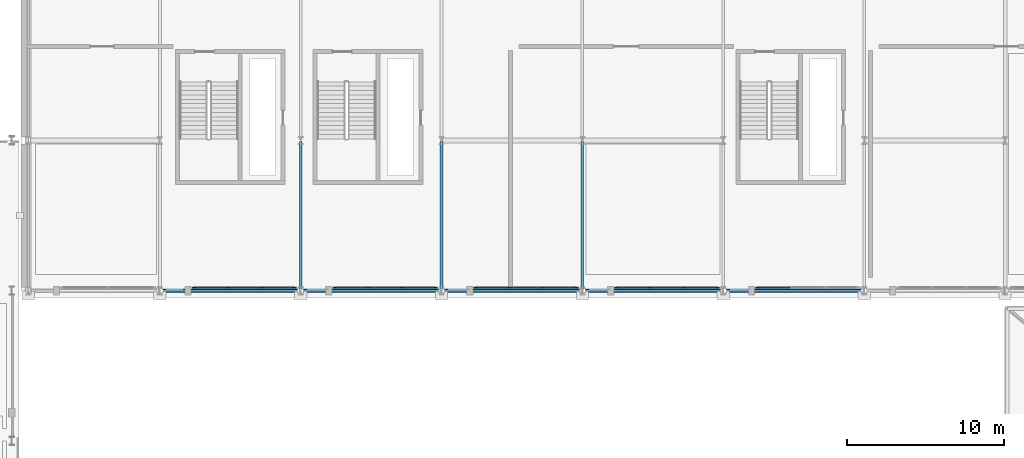
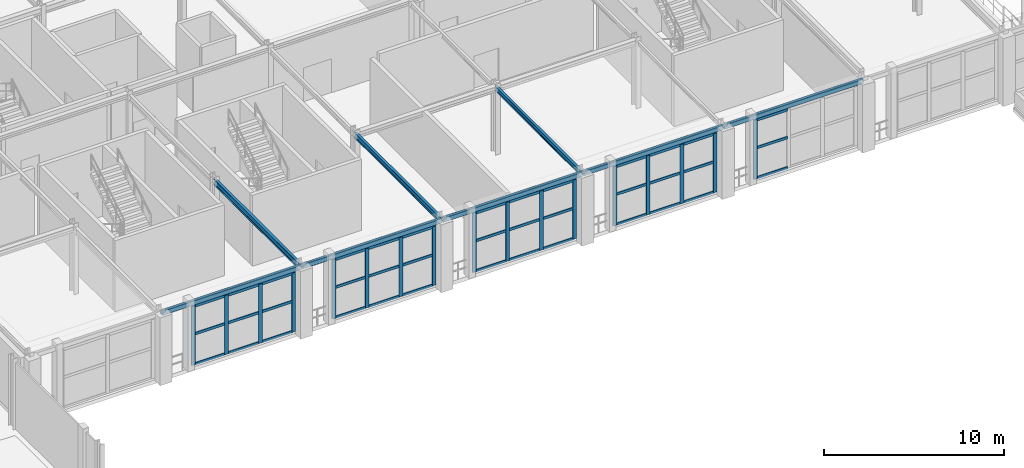
# One storey, part 56 of 125: 56 members, 8 beams, 5 elements without a shape of their own.
"""IFC4 building model written with IfcOpenShell, lengths in metres."""

from ifc_helpers import new_model, si_unit, direction, frame, origin, origin_2d, place, context, subcontext, project, spatial, rectangle, hollow_rectangle, i_section, extrude, material, layer, layer_set, material_profile, profile_set, type_object, element, aggregate, save


model = new_model("IFC4")

# Units and contexts
model_context = context("Model", 3, precision=1e-05, world=origin(), true_north=direction((0.0, 1.0)))
body_context = subcontext(model_context, "Body", "Model", "MODEL_VIEW")
ifc_project = project(units=[si_unit("LENGTHUNIT", "METRE"), si_unit("AREAUNIT", "SQUARE_METRE"), si_unit("VOLUMEUNIT", "CUBIC_METRE"), si_unit("PLANEANGLEUNIT", "RADIAN"), si_unit("MASSUNIT", "GRAM", prefix="KILO")], contexts=[model_context])

# Site, building, storey
site_placement = place(None, origin())
site = spatial("IfcSite", under=ifc_project, at=site_placement, CompositionType="ELEMENT")
building_placement = place(site_placement, origin())
building = spatial("IfcBuilding", under=site, at=building_placement, Name="Myrtia Square Station", CompositionType="ELEMENT")
storey_placement = place(building_placement, frame((0.0, 0.0, 6.0)))
storey = spatial("IfcBuildingStorey", under=building, at=storey_placement, Name="L01", CompositionType="ELEMENT", Elevation=6.0)

# Beams
ifc_material_1 = material(Name="Steel S355", Category="steel")
ifc_material_profile_1 = material_profile(ifc_material_1, i_section(OverallWidth=0.159912109375, OverallDepth=0.330078125, WebThickness=0.007568359375, FlangeThickness=0.011474609375, FilletRadius=0.01806640625, at=origin_2d()), Name="IPE 330")
ifc_profile_set_1 = profile_set([ifc_material_profile_1], Name="Steel S355")
beam_type_1 = type_object("IfcBeamType", Name="BM-IPE330", PredefinedType="BEAM", material=ifc_profile_set_1)
beam_1_placement = place(storey_placement, frame((153.0, 86.449951171875, 4.385009765625), z_axis=(0.0, 1.0, 0.0), x_axis=(-1.0, 0.0, 0.0)))
element("IfcBeam", 1, at=beam_1_placement, inside=storey, type_object=beam_type_1, Name="Structural girder BMY-L01-0675", PredefinedType="BEAM", context=body_context, shape_type="SweptSolid", body=[
    extrude(i_section(OverallWidth=0.159912109375, OverallDepth=0.330078125, WebThickness=0.007568359375, FlangeThickness=0.011474609375, FilletRadius=0.01806640625, at=origin_2d()), origin(), (0.0, 0.0, 1.0), 9.5),
])
ifc_material_profile_2 = material_profile(ifc_material_1, i_section(OverallWidth=0.169921875, OverallDepth=0.360107421875, WebThickness=0.008056640625, FlangeThickness=0.0126953125, FilletRadius=0.01806640625, at=origin_2d()), Name="IPE 360")
ifc_profile_set_2 = profile_set([ifc_material_profile_2], Name="Steel S355")
beam_type_2 = type_object("IfcBeamType", Name="BM-IPE360", PredefinedType="BEAM", material=ifc_profile_set_2)
beam_2_placement = place(storey_placement, frame((144.0, 86.449951171875, 4.3701171875), z_axis=(0.0, 1.0, 0.0), x_axis=(-1.0, 0.0, 0.0)))
element("IfcBeam", 2, at=beam_2_placement, inside=storey, type_object=beam_type_2, Name="Structural girder BMY-L01-0671", PredefinedType="BEAM", context=body_context, shape_type="SweptSolid", body=[
    extrude(i_section(OverallWidth=0.169921875, OverallDepth=0.360107421875, WebThickness=0.008056640625, FlangeThickness=0.0126953125, FilletRadius=0.01806640625, at=origin_2d()), origin(), (0.0, 0.0, 1.0), 9.5),
])
ifc_material_profile_3 = material_profile(ifc_material_1, i_section(OverallWidth=0.179931640625, OverallDepth=0.39990234375, WebThickness=0.008544921875, FlangeThickness=0.013427734375, FilletRadius=0.02099609375, at=origin_2d()), Name="IPE 400")
ifc_profile_set_3 = profile_set([ifc_material_profile_3], Name="Steel S355")
beam_type_3 = type_object("IfcBeamType", Name="BM-IPE400", PredefinedType="BEAM", material=ifc_profile_set_3)
beam_3_placement = place(storey_placement, frame((135.0, 86.449951171875, 4.35009765625), z_axis=(0.0, 1.0, 0.0), x_axis=(-1.0, 0.0, 0.0)))
element("IfcBeam", 3, at=beam_3_placement, inside=storey, type_object=beam_type_3, Name="Structural girder BMY-L01-0668", PredefinedType="BEAM", context=body_context, shape_type="SweptSolid", body=[
    extrude(i_section(OverallWidth=0.179931640625, OverallDepth=0.39990234375, WebThickness=0.008544921875, FlangeThickness=0.013427734375, FilletRadius=0.02099609375, at=origin_2d()), origin(), (0.0, 0.0, 1.0), 9.5),
])

# Curtain wall, members
ifc_material_2 = material(Name="Dark bronze anodised aluminium", Category="aluminium")
ifc_layer = layer(ifc_material_2, 0.159912109375, Name="Dark bronze anodised aluminium")
ifc_layer_set = layer_set([ifc_layer], Name="Dark bronze anodised aluminium")
curtain_wall_type = type_object("IfcCurtainWallType", Name="CW-TYPE-39-650x400", PredefinedType="USERDEFINED", material=ifc_layer_set)
curtain_wall_1_placement = place(storey_placement, origin())
curtain_wall_1 = element("IfcCurtainWall", 4, at=curtain_wall_1_placement, inside=storey, type_object=curtain_wall_type, Name="Concourse curtain wall CW-L01-118", ObjectType="CONCOURSE CURTAIN WALL", PredefinedType="USERDEFINED")
ifc_material_profile_4 = material_profile(ifc_material_2, rectangle(XDim=0.074951171875, YDim=0.239990234375, at=origin_2d()), Name="ALU-M 75x240")
ifc_profile_set_4 = profile_set([ifc_material_profile_4], Name="Dark bronze anodised aluminium")
member_type_1 = type_object("IfcMemberType", Name="CWM-75x240", PredefinedType="MULLION", material=ifc_profile_set_4)
member_1_placement = place(storey_placement, frame((128.1875, 86.60009765625, 0.0), z_axis=(0.0, 0.0, 1.0), x_axis=(0.0, 1.0, 0.0)))
member_1 = element("IfcMember", 5, at=member_1_placement, type_object=member_type_1, Name="CW-118 mullion 1", PredefinedType="MULLION", context=body_context, shape_type="SweptSolid", body=[
    extrude(rectangle(XDim=0.074951171875, YDim=0.239990234375, at=origin_2d()), origin(), (0.0, 0.0, 1.0), 4.0),
])
member_2_placement = place(storey_placement, frame((130.316650390625, 86.60009765625, 0.0), z_axis=(0.0, 0.0, 1.0), x_axis=(0.0, 1.0, 0.0)))
member_2 = element("IfcMember", 6, at=member_2_placement, type_object=member_type_1, Name="CW-118 mullion 2", PredefinedType="MULLION", context=body_context, shape_type="SweptSolid", body=[
    extrude(rectangle(XDim=0.074951171875, YDim=0.239990234375, at=origin_2d()), origin(), (0.0, 0.0, 1.0), 4.0),
])
member_3_placement = place(storey_placement, frame((132.4833984375, 86.60009765625, 0.0), z_axis=(0.0, 0.0, 1.0), x_axis=(0.0, 1.0, 0.0)))
member_3 = element("IfcMember", 7, at=member_3_placement, type_object=member_type_1, Name="CW-118 mullion 3", PredefinedType="MULLION", context=body_context, shape_type="SweptSolid", body=[
    extrude(rectangle(XDim=0.074951171875, YDim=0.239990234375, at=origin_2d()), origin(), (0.0, 0.0, 1.0), 4.0),
])
member_4_placement = place(storey_placement, frame((134.612548828125, 86.60009765625, 0.0), z_axis=(0.0, 0.0, 1.0), x_axis=(0.0, 1.0, 0.0)))
member_4 = element("IfcMember", 8, at=member_4_placement, type_object=member_type_1, Name="CW-118 mullion 4", PredefinedType="MULLION", context=body_context, shape_type="SweptSolid", body=[
    extrude(rectangle(XDim=0.074951171875, YDim=0.239990234375, at=origin_2d()), origin(), (0.0, 0.0, 1.0), 4.0),
])

curtain_wall_2_placement = place(storey_placement, origin())
curtain_wall_2 = element("IfcCurtainWall", 9, at=curtain_wall_2_placement, inside=storey, type_object=curtain_wall_type, Name="Concourse curtain wall CW-L01-123", ObjectType="CONCOURSE CURTAIN WALL", PredefinedType="USERDEFINED")
member_5_placement = place(storey_placement, frame((137.1875, 86.60009765625, 0.0), z_axis=(0.0, 0.0, 1.0), x_axis=(0.0, 1.0, 0.0)))
member_5 = element("IfcMember", 10, at=member_5_placement, type_object=member_type_1, Name="CW-123 mullion 1", PredefinedType="MULLION", context=body_context, shape_type="SweptSolid", body=[
    extrude(rectangle(XDim=0.074951171875, YDim=0.239990234375, at=origin_2d()), origin(), (0.0, 0.0, 1.0), 4.0),
])
member_6_placement = place(storey_placement, frame((139.316650390625, 86.60009765625, 0.0), z_axis=(0.0, 0.0, 1.0), x_axis=(0.0, 1.0, 0.0)))
member_6 = element("IfcMember", 11, at=member_6_placement, type_object=member_type_1, Name="CW-123 mullion 2", PredefinedType="MULLION", context=body_context, shape_type="SweptSolid", body=[
    extrude(rectangle(XDim=0.074951171875, YDim=0.239990234375, at=origin_2d()), origin(), (0.0, 0.0, 1.0), 4.0),
])
member_7_placement = place(storey_placement, frame((141.4833984375, 86.60009765625, 0.0), z_axis=(0.0, 0.0, 1.0), x_axis=(0.0, 1.0, 0.0)))
member_7 = element("IfcMember", 12, at=member_7_placement, type_object=member_type_1, Name="CW-123 mullion 3", PredefinedType="MULLION", context=body_context, shape_type="SweptSolid", body=[
    extrude(rectangle(XDim=0.074951171875, YDim=0.239990234375, at=origin_2d()), origin(), (0.0, 0.0, 1.0), 4.0),
])
member_8_placement = place(storey_placement, frame((143.612548828125, 86.60009765625, 0.0), z_axis=(0.0, 0.0, 1.0), x_axis=(0.0, 1.0, 0.0)))
member_8 = element("IfcMember", 13, at=member_8_placement, type_object=member_type_1, Name="CW-123 mullion 4", PredefinedType="MULLION", context=body_context, shape_type="SweptSolid", body=[
    extrude(rectangle(XDim=0.074951171875, YDim=0.239990234375, at=origin_2d()), origin(), (0.0, 0.0, 1.0), 4.0),
])

curtain_wall_3_placement = place(storey_placement, origin())
curtain_wall_3 = element("IfcCurtainWall", 14, at=curtain_wall_3_placement, inside=storey, type_object=curtain_wall_type, Name="Concourse curtain wall CW-L01-127", ObjectType="CONCOURSE CURTAIN WALL", PredefinedType="USERDEFINED")
member_9_placement = place(storey_placement, frame((146.1875, 86.60009765625, 0.0), z_axis=(0.0, 0.0, 1.0), x_axis=(0.0, 1.0, 0.0)))
member_9 = element("IfcMember", 15, at=member_9_placement, type_object=member_type_1, Name="CW-127 mullion 1", PredefinedType="MULLION", context=body_context, shape_type="SweptSolid", body=[
    extrude(rectangle(XDim=0.074951171875, YDim=0.239990234375, at=origin_2d()), origin(), (0.0, 0.0, 1.0), 4.0),
])
member_10_placement = place(storey_placement, frame((148.316650390625, 86.60009765625, 0.0), z_axis=(0.0, 0.0, 1.0), x_axis=(0.0, 1.0, 0.0)))
member_10 = element("IfcMember", 16, at=member_10_placement, type_object=member_type_1, Name="CW-127 mullion 2", PredefinedType="MULLION", context=body_context, shape_type="SweptSolid", body=[
    extrude(rectangle(XDim=0.074951171875, YDim=0.239990234375, at=origin_2d()), origin(), (0.0, 0.0, 1.0), 4.0),
])
member_11_placement = place(storey_placement, frame((150.4833984375, 86.60009765625, 0.0), z_axis=(0.0, 0.0, 1.0), x_axis=(0.0, 1.0, 0.0)))
member_11 = element("IfcMember", 17, at=member_11_placement, type_object=member_type_1, Name="CW-127 mullion 3", PredefinedType="MULLION", context=body_context, shape_type="SweptSolid", body=[
    extrude(rectangle(XDim=0.074951171875, YDim=0.239990234375, at=origin_2d()), origin(), (0.0, 0.0, 1.0), 4.0),
])
member_12_placement = place(storey_placement, frame((152.612548828125, 86.60009765625, 0.0), z_axis=(0.0, 0.0, 1.0), x_axis=(0.0, 1.0, 0.0)))
member_12 = element("IfcMember", 18, at=member_12_placement, type_object=member_type_1, Name="CW-127 mullion 4", PredefinedType="MULLION", context=body_context, shape_type="SweptSolid", body=[
    extrude(rectangle(XDim=0.074951171875, YDim=0.239990234375, at=origin_2d()), origin(), (0.0, 0.0, 1.0), 4.0),
])

curtain_wall_4_placement = place(storey_placement, origin())
curtain_wall_4 = element("IfcCurtainWall", 19, at=curtain_wall_4_placement, inside=storey, type_object=curtain_wall_type, Name="Concourse curtain wall CW-L01-131", ObjectType="CONCOURSE CURTAIN WALL", PredefinedType="USERDEFINED")
member_13_placement = place(storey_placement, frame((155.1875, 86.60009765625, 0.0), z_axis=(0.0, 0.0, 1.0), x_axis=(0.0, 1.0, 0.0)))
member_13 = element("IfcMember", 20, at=member_13_placement, type_object=member_type_1, Name="CW-131 mullion 1", PredefinedType="MULLION", context=body_context, shape_type="SweptSolid", body=[
    extrude(rectangle(XDim=0.074951171875, YDim=0.239990234375, at=origin_2d()), origin(), (0.0, 0.0, 1.0), 4.0),
])
member_14_placement = place(storey_placement, frame((157.316650390625, 86.60009765625, 0.0), z_axis=(0.0, 0.0, 1.0), x_axis=(0.0, 1.0, 0.0)))
member_14 = element("IfcMember", 21, at=member_14_placement, type_object=member_type_1, Name="CW-131 mullion 2", PredefinedType="MULLION", context=body_context, shape_type="SweptSolid", body=[
    extrude(rectangle(XDim=0.074951171875, YDim=0.239990234375, at=origin_2d()), origin(), (0.0, 0.0, 1.0), 4.0),
])
member_15_placement = place(storey_placement, frame((159.4833984375, 86.60009765625, 0.0), z_axis=(0.0, 0.0, 1.0), x_axis=(0.0, 1.0, 0.0)))
member_15 = element("IfcMember", 22, at=member_15_placement, type_object=member_type_1, Name="CW-131 mullion 3", PredefinedType="MULLION", context=body_context, shape_type="SweptSolid", body=[
    extrude(rectangle(XDim=0.074951171875, YDim=0.239990234375, at=origin_2d()), origin(), (0.0, 0.0, 1.0), 4.0),
])
member_16_placement = place(storey_placement, frame((161.612548828125, 86.60009765625, 0.0), z_axis=(0.0, 0.0, 1.0), x_axis=(0.0, 1.0, 0.0)))
member_16 = element("IfcMember", 23, at=member_16_placement, type_object=member_type_1, Name="CW-131 mullion 4", PredefinedType="MULLION", context=body_context, shape_type="SweptSolid", body=[
    extrude(rectangle(XDim=0.074951171875, YDim=0.239990234375, at=origin_2d()), origin(), (0.0, 0.0, 1.0), 4.0),
])

# Curtain wall, member
curtain_wall_5_placement = place(storey_placement, origin())
curtain_wall_5 = element("IfcCurtainWall", 24, at=curtain_wall_5_placement, inside=storey, type_object=curtain_wall_type, Name="Concourse curtain wall CW-L01-136", ObjectType="CONCOURSE CURTAIN WALL", PredefinedType="USERDEFINED")
member_17_placement = place(storey_placement, frame((164.1875, 86.60009765625, 0.0), z_axis=(0.0, 0.0, 1.0), x_axis=(0.0, 1.0, 0.0)))
member_17 = element("IfcMember", 25, at=member_17_placement, type_object=member_type_1, Name="CW-136 mullion 1", PredefinedType="MULLION", context=body_context, shape_type="SweptSolid", body=[
    extrude(rectangle(XDim=0.074951171875, YDim=0.239990234375, at=origin_2d()), origin(), (0.0, 0.0, 1.0), 4.0),
])

# Member
ifc_material_profile_5 = material_profile(ifc_material_2, rectangle(XDim=0.074951171875, YDim=0.179931640625, at=origin_2d()), Name="ALU-T 75x180")
ifc_profile_set_5 = profile_set([ifc_material_profile_5], Name="Dark bronze anodised aluminium")
member_type_2 = type_object("IfcMemberType", Name="CWT-75x180", PredefinedType="USERDEFINED", material=ifc_profile_set_5)
member_18_placement = place(storey_placement, frame((128.22509765625, 86.60009765625, 0.03759765625), z_axis=(1.0, 0.0, 0.0), x_axis=(0.0, 1.0, 0.0)))
member_18 = element("IfcMember", 26, at=member_18_placement, type_object=member_type_2, Name="CW-118 transom 1.1", ObjectType="TRANSOM", PredefinedType="USERDEFINED", context=body_context, shape_type="SweptSolid", body=[
    extrude(rectangle(XDim=0.074951171875, YDim=0.179931640625, at=origin_2d()), origin(), (0.0, 0.0, 1.0), 2.053955078125),
])

member_19_placement = place(storey_placement, frame((128.22509765625, 86.60009765625, 2.080078125), z_axis=(1.0, 0.0, 0.0), x_axis=(0.0, 1.0, 0.0)))
member_19 = element("IfcMember", 27, at=member_19_placement, type_object=member_type_2, Name="CW-118 transom 1.2", ObjectType="TRANSOM", PredefinedType="USERDEFINED", context=body_context, shape_type="SweptSolid", body=[
    extrude(rectangle(XDim=0.074951171875, YDim=0.179931640625, at=origin_2d()), origin(), (0.0, 0.0, 1.0), 2.053955078125),
])

member_20_placement = place(storey_placement, frame((128.22509765625, 86.60009765625, 3.96240234375), z_axis=(1.0, 0.0, 0.0), x_axis=(0.0, 1.0, 0.0)))
member_20 = element("IfcMember", 28, at=member_20_placement, type_object=member_type_2, Name="CW-118 transom 1.3", ObjectType="TRANSOM", PredefinedType="USERDEFINED", context=body_context, shape_type="SweptSolid", body=[
    extrude(rectangle(XDim=0.074951171875, YDim=0.179931640625, at=origin_2d()), origin(), (0.0, 0.0, 1.0), 2.053955078125),
])

member_21_placement = place(storey_placement, frame((130.354248046875, 86.60009765625, 0.03759765625), z_axis=(1.0, 0.0, 0.0), x_axis=(0.0, 1.0, 0.0)))
member_21 = element("IfcMember", 29, at=member_21_placement, type_object=member_type_2, Name="CW-118 transom 2.1", ObjectType="TRANSOM", PredefinedType="USERDEFINED", context=body_context, shape_type="SweptSolid", body=[
    extrude(rectangle(XDim=0.074951171875, YDim=0.179931640625, at=origin_2d()), origin(), (0.0, 0.0, 1.0), 2.091552734375),
])

member_22_placement = place(storey_placement, frame((130.354248046875, 86.60009765625, 2.080078125), z_axis=(1.0, 0.0, 0.0), x_axis=(0.0, 1.0, 0.0)))
member_22 = element("IfcMember", 30, at=member_22_placement, type_object=member_type_2, Name="CW-118 transom 2.2", ObjectType="TRANSOM", PredefinedType="USERDEFINED", context=body_context, shape_type="SweptSolid", body=[
    extrude(rectangle(XDim=0.074951171875, YDim=0.179931640625, at=origin_2d()), origin(), (0.0, 0.0, 1.0), 2.091552734375),
])

member_23_placement = place(storey_placement, frame((130.354248046875, 86.60009765625, 3.96240234375), z_axis=(1.0, 0.0, 0.0), x_axis=(0.0, 1.0, 0.0)))
member_23 = element("IfcMember", 31, at=member_23_placement, type_object=member_type_2, Name="CW-118 transom 2.3", ObjectType="TRANSOM", PredefinedType="USERDEFINED", context=body_context, shape_type="SweptSolid", body=[
    extrude(rectangle(XDim=0.074951171875, YDim=0.179931640625, at=origin_2d()), origin(), (0.0, 0.0, 1.0), 2.091552734375),
])

member_24_placement = place(storey_placement, frame((132.520751953125, 86.60009765625, 0.03759765625), z_axis=(1.0, 0.0, 0.0), x_axis=(0.0, 1.0, 0.0)))
member_24 = element("IfcMember", 32, at=member_24_placement, type_object=member_type_2, Name="CW-118 transom 3.1", ObjectType="TRANSOM", PredefinedType="USERDEFINED", context=body_context, shape_type="SweptSolid", body=[
    extrude(rectangle(XDim=0.074951171875, YDim=0.179931640625, at=origin_2d()), origin(), (0.0, 0.0, 1.0), 2.05419921875),
])

member_25_placement = place(storey_placement, frame((132.520751953125, 86.60009765625, 2.080078125), z_axis=(1.0, 0.0, 0.0), x_axis=(0.0, 1.0, 0.0)))
member_25 = element("IfcMember", 33, at=member_25_placement, type_object=member_type_2, Name="CW-118 transom 3.2", ObjectType="TRANSOM", PredefinedType="USERDEFINED", context=body_context, shape_type="SweptSolid", body=[
    extrude(rectangle(XDim=0.074951171875, YDim=0.179931640625, at=origin_2d()), origin(), (0.0, 0.0, 1.0), 2.05419921875),
])

member_26_placement = place(storey_placement, frame((132.520751953125, 86.60009765625, 3.96240234375), z_axis=(1.0, 0.0, 0.0), x_axis=(0.0, 1.0, 0.0)))
member_26 = element("IfcMember", 34, at=member_26_placement, type_object=member_type_2, Name="CW-118 transom 3.3", ObjectType="TRANSOM", PredefinedType="USERDEFINED", context=body_context, shape_type="SweptSolid", body=[
    extrude(rectangle(XDim=0.074951171875, YDim=0.179931640625, at=origin_2d()), origin(), (0.0, 0.0, 1.0), 2.05419921875),
])

aggregate(curtain_wall_1, [member_1, member_2, member_3, member_4, member_18, member_19, member_20, member_21, member_22, member_23, member_24, member_25, member_26])

member_27_placement = place(storey_placement, frame((137.22509765625, 86.60009765625, 0.03759765625), z_axis=(1.0, 0.0, 0.0), x_axis=(0.0, 1.0, 0.0)))
member_27 = element("IfcMember", 35, at=member_27_placement, type_object=member_type_2, Name="CW-123 transom 1.1", ObjectType="TRANSOM", PredefinedType="USERDEFINED", context=body_context, shape_type="SweptSolid", body=[
    extrude(rectangle(XDim=0.074951171875, YDim=0.179931640625, at=origin_2d()), origin(), (0.0, 0.0, 1.0), 2.053955078125),
])

member_28_placement = place(storey_placement, frame((137.22509765625, 86.60009765625, 2.080078125), z_axis=(1.0, 0.0, 0.0), x_axis=(0.0, 1.0, 0.0)))
member_28 = element("IfcMember", 36, at=member_28_placement, type_object=member_type_2, Name="CW-123 transom 1.2", ObjectType="TRANSOM", PredefinedType="USERDEFINED", context=body_context, shape_type="SweptSolid", body=[
    extrude(rectangle(XDim=0.074951171875, YDim=0.179931640625, at=origin_2d()), origin(), (0.0, 0.0, 1.0), 2.053955078125),
])

member_29_placement = place(storey_placement, frame((137.22509765625, 86.60009765625, 3.96240234375), z_axis=(1.0, 0.0, 0.0), x_axis=(0.0, 1.0, 0.0)))
member_29 = element("IfcMember", 37, at=member_29_placement, type_object=member_type_2, Name="CW-123 transom 1.3", ObjectType="TRANSOM", PredefinedType="USERDEFINED", context=body_context, shape_type="SweptSolid", body=[
    extrude(rectangle(XDim=0.074951171875, YDim=0.179931640625, at=origin_2d()), origin(), (0.0, 0.0, 1.0), 2.053955078125),
])

member_30_placement = place(storey_placement, frame((139.354248046875, 86.60009765625, 0.03759765625), z_axis=(1.0, 0.0, 0.0), x_axis=(0.0, 1.0, 0.0)))
member_30 = element("IfcMember", 38, at=member_30_placement, type_object=member_type_2, Name="CW-123 transom 2.1", ObjectType="TRANSOM", PredefinedType="USERDEFINED", context=body_context, shape_type="SweptSolid", body=[
    extrude(rectangle(XDim=0.074951171875, YDim=0.179931640625, at=origin_2d()), origin(), (0.0, 0.0, 1.0), 2.091552734375),
])

member_31_placement = place(storey_placement, frame((139.354248046875, 86.60009765625, 2.080078125), z_axis=(1.0, 0.0, 0.0), x_axis=(0.0, 1.0, 0.0)))
member_31 = element("IfcMember", 39, at=member_31_placement, type_object=member_type_2, Name="CW-123 transom 2.2", ObjectType="TRANSOM", PredefinedType="USERDEFINED", context=body_context, shape_type="SweptSolid", body=[
    extrude(rectangle(XDim=0.074951171875, YDim=0.179931640625, at=origin_2d()), origin(), (0.0, 0.0, 1.0), 2.091552734375),
])

member_32_placement = place(storey_placement, frame((139.354248046875, 86.60009765625, 3.96240234375), z_axis=(1.0, 0.0, 0.0), x_axis=(0.0, 1.0, 0.0)))
member_32 = element("IfcMember", 40, at=member_32_placement, type_object=member_type_2, Name="CW-123 transom 2.3", ObjectType="TRANSOM", PredefinedType="USERDEFINED", context=body_context, shape_type="SweptSolid", body=[
    extrude(rectangle(XDim=0.074951171875, YDim=0.179931640625, at=origin_2d()), origin(), (0.0, 0.0, 1.0), 2.091552734375),
])

member_33_placement = place(storey_placement, frame((141.520751953125, 86.60009765625, 0.03759765625), z_axis=(1.0, 0.0, 0.0), x_axis=(0.0, 1.0, 0.0)))
member_33 = element("IfcMember", 41, at=member_33_placement, type_object=member_type_2, Name="CW-123 transom 3.1", ObjectType="TRANSOM", PredefinedType="USERDEFINED", context=body_context, shape_type="SweptSolid", body=[
    extrude(rectangle(XDim=0.074951171875, YDim=0.179931640625, at=origin_2d()), origin(), (0.0, 0.0, 1.0), 2.05419921875),
])

member_34_placement = place(storey_placement, frame((141.520751953125, 86.60009765625, 2.080078125), z_axis=(1.0, 0.0, 0.0), x_axis=(0.0, 1.0, 0.0)))
member_34 = element("IfcMember", 42, at=member_34_placement, type_object=member_type_2, Name="CW-123 transom 3.2", ObjectType="TRANSOM", PredefinedType="USERDEFINED", context=body_context, shape_type="SweptSolid", body=[
    extrude(rectangle(XDim=0.074951171875, YDim=0.179931640625, at=origin_2d()), origin(), (0.0, 0.0, 1.0), 2.05419921875),
])

member_35_placement = place(storey_placement, frame((141.520751953125, 86.60009765625, 3.96240234375), z_axis=(1.0, 0.0, 0.0), x_axis=(0.0, 1.0, 0.0)))
member_35 = element("IfcMember", 43, at=member_35_placement, type_object=member_type_2, Name="CW-123 transom 3.3", ObjectType="TRANSOM", PredefinedType="USERDEFINED", context=body_context, shape_type="SweptSolid", body=[
    extrude(rectangle(XDim=0.074951171875, YDim=0.179931640625, at=origin_2d()), origin(), (0.0, 0.0, 1.0), 2.05419921875),
])

aggregate(curtain_wall_2, [member_5, member_6, member_7, member_8, member_27, member_28, member_29, member_30, member_31, member_32, member_33, member_34, member_35])

member_36_placement = place(storey_placement, frame((146.22509765625, 86.60009765625, 0.03759765625), z_axis=(1.0, 0.0, 0.0), x_axis=(0.0, 1.0, 0.0)))
member_36 = element("IfcMember", 44, at=member_36_placement, type_object=member_type_2, Name="CW-127 transom 1.1", ObjectType="TRANSOM", PredefinedType="USERDEFINED", context=body_context, shape_type="SweptSolid", body=[
    extrude(rectangle(XDim=0.074951171875, YDim=0.179931640625, at=origin_2d()), origin(), (0.0, 0.0, 1.0), 2.053955078125),
])

member_37_placement = place(storey_placement, frame((146.22509765625, 86.60009765625, 2.080078125), z_axis=(1.0, 0.0, 0.0), x_axis=(0.0, 1.0, 0.0)))
member_37 = element("IfcMember", 45, at=member_37_placement, type_object=member_type_2, Name="CW-127 transom 1.2", ObjectType="TRANSOM", PredefinedType="USERDEFINED", context=body_context, shape_type="SweptSolid", body=[
    extrude(rectangle(XDim=0.074951171875, YDim=0.179931640625, at=origin_2d()), origin(), (0.0, 0.0, 1.0), 2.053955078125),
])

member_38_placement = place(storey_placement, frame((146.22509765625, 86.60009765625, 3.96240234375), z_axis=(1.0, 0.0, 0.0), x_axis=(0.0, 1.0, 0.0)))
member_38 = element("IfcMember", 46, at=member_38_placement, type_object=member_type_2, Name="CW-127 transom 1.3", ObjectType="TRANSOM", PredefinedType="USERDEFINED", context=body_context, shape_type="SweptSolid", body=[
    extrude(rectangle(XDim=0.074951171875, YDim=0.179931640625, at=origin_2d()), origin(), (0.0, 0.0, 1.0), 2.053955078125),
])

member_39_placement = place(storey_placement, frame((148.354248046875, 86.60009765625, 0.03759765625), z_axis=(1.0, 0.0, 0.0), x_axis=(0.0, 1.0, 0.0)))
member_39 = element("IfcMember", 47, at=member_39_placement, type_object=member_type_2, Name="CW-127 transom 2.1", ObjectType="TRANSOM", PredefinedType="USERDEFINED", context=body_context, shape_type="SweptSolid", body=[
    extrude(rectangle(XDim=0.074951171875, YDim=0.179931640625, at=origin_2d()), origin(), (0.0, 0.0, 1.0), 2.091552734375),
])

member_40_placement = place(storey_placement, frame((148.354248046875, 86.60009765625, 2.080078125), z_axis=(1.0, 0.0, 0.0), x_axis=(0.0, 1.0, 0.0)))
member_40 = element("IfcMember", 48, at=member_40_placement, type_object=member_type_2, Name="CW-127 transom 2.2", ObjectType="TRANSOM", PredefinedType="USERDEFINED", context=body_context, shape_type="SweptSolid", body=[
    extrude(rectangle(XDim=0.074951171875, YDim=0.179931640625, at=origin_2d()), origin(), (0.0, 0.0, 1.0), 2.091552734375),
])

member_41_placement = place(storey_placement, frame((148.354248046875, 86.60009765625, 3.96240234375), z_axis=(1.0, 0.0, 0.0), x_axis=(0.0, 1.0, 0.0)))
member_41 = element("IfcMember", 49, at=member_41_placement, type_object=member_type_2, Name="CW-127 transom 2.3", ObjectType="TRANSOM", PredefinedType="USERDEFINED", context=body_context, shape_type="SweptSolid", body=[
    extrude(rectangle(XDim=0.074951171875, YDim=0.179931640625, at=origin_2d()), origin(), (0.0, 0.0, 1.0), 2.091552734375),
])

member_42_placement = place(storey_placement, frame((150.520751953125, 86.60009765625, 0.03759765625), z_axis=(1.0, 0.0, 0.0), x_axis=(0.0, 1.0, 0.0)))
member_42 = element("IfcMember", 50, at=member_42_placement, type_object=member_type_2, Name="CW-127 transom 3.1", ObjectType="TRANSOM", PredefinedType="USERDEFINED", context=body_context, shape_type="SweptSolid", body=[
    extrude(rectangle(XDim=0.074951171875, YDim=0.179931640625, at=origin_2d()), origin(), (0.0, 0.0, 1.0), 2.05419921875),
])

member_43_placement = place(storey_placement, frame((150.520751953125, 86.60009765625, 2.080078125), z_axis=(1.0, 0.0, 0.0), x_axis=(0.0, 1.0, 0.0)))
member_43 = element("IfcMember", 51, at=member_43_placement, type_object=member_type_2, Name="CW-127 transom 3.2", ObjectType="TRANSOM", PredefinedType="USERDEFINED", context=body_context, shape_type="SweptSolid", body=[
    extrude(rectangle(XDim=0.074951171875, YDim=0.179931640625, at=origin_2d()), origin(), (0.0, 0.0, 1.0), 2.05419921875),
])

member_44_placement = place(storey_placement, frame((150.520751953125, 86.60009765625, 3.96240234375), z_axis=(1.0, 0.0, 0.0), x_axis=(0.0, 1.0, 0.0)))
member_44 = element("IfcMember", 52, at=member_44_placement, type_object=member_type_2, Name="CW-127 transom 3.3", ObjectType="TRANSOM", PredefinedType="USERDEFINED", context=body_context, shape_type="SweptSolid", body=[
    extrude(rectangle(XDim=0.074951171875, YDim=0.179931640625, at=origin_2d()), origin(), (0.0, 0.0, 1.0), 2.05419921875),
])

aggregate(curtain_wall_3, [member_9, member_10, member_11, member_12, member_36, member_37, member_38, member_39, member_40, member_41, member_42, member_43, member_44])

member_45_placement = place(storey_placement, frame((155.22509765625, 86.60009765625, 0.03759765625), z_axis=(1.0, 0.0, 0.0), x_axis=(0.0, 1.0, 0.0)))
member_45 = element("IfcMember", 53, at=member_45_placement, type_object=member_type_2, Name="CW-131 transom 1.1", ObjectType="TRANSOM", PredefinedType="USERDEFINED", context=body_context, shape_type="SweptSolid", body=[
    extrude(rectangle(XDim=0.074951171875, YDim=0.179931640625, at=origin_2d()), origin(), (0.0, 0.0, 1.0), 2.053955078125),
])

member_46_placement = place(storey_placement, frame((155.22509765625, 86.60009765625, 2.080078125), z_axis=(1.0, 0.0, 0.0), x_axis=(0.0, 1.0, 0.0)))
member_46 = element("IfcMember", 54, at=member_46_placement, type_object=member_type_2, Name="CW-131 transom 1.2", ObjectType="TRANSOM", PredefinedType="USERDEFINED", context=body_context, shape_type="SweptSolid", body=[
    extrude(rectangle(XDim=0.074951171875, YDim=0.179931640625, at=origin_2d()), origin(), (0.0, 0.0, 1.0), 2.053955078125),
])

member_47_placement = place(storey_placement, frame((155.22509765625, 86.60009765625, 3.96240234375), z_axis=(1.0, 0.0, 0.0), x_axis=(0.0, 1.0, 0.0)))
member_47 = element("IfcMember", 55, at=member_47_placement, type_object=member_type_2, Name="CW-131 transom 1.3", ObjectType="TRANSOM", PredefinedType="USERDEFINED", context=body_context, shape_type="SweptSolid", body=[
    extrude(rectangle(XDim=0.074951171875, YDim=0.179931640625, at=origin_2d()), origin(), (0.0, 0.0, 1.0), 2.053955078125),
])

member_48_placement = place(storey_placement, frame((157.354248046875, 86.60009765625, 0.03759765625), z_axis=(1.0, 0.0, 0.0), x_axis=(0.0, 1.0, 0.0)))
member_48 = element("IfcMember", 56, at=member_48_placement, type_object=member_type_2, Name="CW-131 transom 2.1", ObjectType="TRANSOM", PredefinedType="USERDEFINED", context=body_context, shape_type="SweptSolid", body=[
    extrude(rectangle(XDim=0.074951171875, YDim=0.179931640625, at=origin_2d()), origin(), (0.0, 0.0, 1.0), 2.091552734375),
])

member_49_placement = place(storey_placement, frame((157.354248046875, 86.60009765625, 2.080078125), z_axis=(1.0, 0.0, 0.0), x_axis=(0.0, 1.0, 0.0)))
member_49 = element("IfcMember", 57, at=member_49_placement, type_object=member_type_2, Name="CW-131 transom 2.2", ObjectType="TRANSOM", PredefinedType="USERDEFINED", context=body_context, shape_type="SweptSolid", body=[
    extrude(rectangle(XDim=0.074951171875, YDim=0.179931640625, at=origin_2d()), origin(), (0.0, 0.0, 1.0), 2.091552734375),
])

member_50_placement = place(storey_placement, frame((157.354248046875, 86.60009765625, 3.96240234375), z_axis=(1.0, 0.0, 0.0), x_axis=(0.0, 1.0, 0.0)))
member_50 = element("IfcMember", 58, at=member_50_placement, type_object=member_type_2, Name="CW-131 transom 2.3", ObjectType="TRANSOM", PredefinedType="USERDEFINED", context=body_context, shape_type="SweptSolid", body=[
    extrude(rectangle(XDim=0.074951171875, YDim=0.179931640625, at=origin_2d()), origin(), (0.0, 0.0, 1.0), 2.091552734375),
])

member_51_placement = place(storey_placement, frame((159.520751953125, 86.60009765625, 0.03759765625), z_axis=(1.0, 0.0, 0.0), x_axis=(0.0, 1.0, 0.0)))
member_51 = element("IfcMember", 59, at=member_51_placement, type_object=member_type_2, Name="CW-131 transom 3.1", ObjectType="TRANSOM", PredefinedType="USERDEFINED", context=body_context, shape_type="SweptSolid", body=[
    extrude(rectangle(XDim=0.074951171875, YDim=0.179931640625, at=origin_2d()), origin(), (0.0, 0.0, 1.0), 2.05419921875),
])

member_52_placement = place(storey_placement, frame((159.520751953125, 86.60009765625, 2.080078125), z_axis=(1.0, 0.0, 0.0), x_axis=(0.0, 1.0, 0.0)))
member_52 = element("IfcMember", 60, at=member_52_placement, type_object=member_type_2, Name="CW-131 transom 3.2", ObjectType="TRANSOM", PredefinedType="USERDEFINED", context=body_context, shape_type="SweptSolid", body=[
    extrude(rectangle(XDim=0.074951171875, YDim=0.179931640625, at=origin_2d()), origin(), (0.0, 0.0, 1.0), 2.05419921875),
])

member_53_placement = place(storey_placement, frame((159.520751953125, 86.60009765625, 3.96240234375), z_axis=(1.0, 0.0, 0.0), x_axis=(0.0, 1.0, 0.0)))
member_53 = element("IfcMember", 61, at=member_53_placement, type_object=member_type_2, Name="CW-131 transom 3.3", ObjectType="TRANSOM", PredefinedType="USERDEFINED", context=body_context, shape_type="SweptSolid", body=[
    extrude(rectangle(XDim=0.074951171875, YDim=0.179931640625, at=origin_2d()), origin(), (0.0, 0.0, 1.0), 2.05419921875),
])

aggregate(curtain_wall_4, [member_13, member_14, member_15, member_16, member_45, member_46, member_47, member_48, member_49, member_50, member_51, member_52, member_53])

member_54_placement = place(storey_placement, frame((164.22509765625, 86.60009765625, 0.03759765625), z_axis=(1.0, 0.0, 0.0), x_axis=(0.0, 1.0, 0.0)))
member_54 = element("IfcMember", 62, at=member_54_placement, type_object=member_type_2, Name="CW-136 transom 1.1", ObjectType="TRANSOM", PredefinedType="USERDEFINED", context=body_context, shape_type="SweptSolid", body=[
    extrude(rectangle(XDim=0.074951171875, YDim=0.179931640625, at=origin_2d()), origin(), (0.0, 0.0, 1.0), 2.053955078125),
])

member_55_placement = place(storey_placement, frame((164.22509765625, 86.60009765625, 2.080078125), z_axis=(1.0, 0.0, 0.0), x_axis=(0.0, 1.0, 0.0)))
member_55 = element("IfcMember", 63, at=member_55_placement, type_object=member_type_2, Name="CW-136 transom 1.2", ObjectType="TRANSOM", PredefinedType="USERDEFINED", context=body_context, shape_type="SweptSolid", body=[
    extrude(rectangle(XDim=0.074951171875, YDim=0.179931640625, at=origin_2d()), origin(), (0.0, 0.0, 1.0), 2.053955078125),
])

member_56_placement = place(storey_placement, frame((164.22509765625, 86.60009765625, 3.96240234375), z_axis=(1.0, 0.0, 0.0), x_axis=(0.0, 1.0, 0.0)))
member_56 = element("IfcMember", 64, at=member_56_placement, type_object=member_type_2, Name="CW-136 transom 1.3", ObjectType="TRANSOM", PredefinedType="USERDEFINED", context=body_context, shape_type="SweptSolid", body=[
    extrude(rectangle(XDim=0.074951171875, YDim=0.179931640625, at=origin_2d()), origin(), (0.0, 0.0, 1.0), 2.053955078125),
])

aggregate(curtain_wall_5, [member_17, member_54, member_55, member_56])

# Beams
ifc_material_profile_6 = material_profile(ifc_material_1, hollow_rectangle(XDim=0.199951171875, YDim=0.300048828125, WallThickness=0.01611328125, InnerFilletRadius=0.01611328125, OuterFilletRadius=0.031982421875, at=origin_2d()), Name="RHS 300x200x16")
ifc_profile_set_6 = profile_set([ifc_material_profile_6], Name="Steel S355")
beam_type_4 = type_object("IfcBeamType", Name="SPN-RHS300", PredefinedType="SPANDREL", material=ifc_profile_set_6)
for number, where, z_axis, x_axis, name in (
    (65, (126.050048828125, 86.39990234375, 4.39990234375), (1.0, 0.0, 0.0), (0.0, 1.0, 0.0), "Structural girder SPN-L01-0173"),
    (66, (135.050048828125, 86.39990234375, 4.39990234375), (1.0, 0.0, 0.0), (0.0, 1.0, 0.0), "Structural girder SPN-L01-0174"),
    (67, (144.050048828125, 86.39990234375, 4.39990234375), (1.0, 0.0, 0.0), (0.0, 1.0, 0.0), "Structural girder SPN-L01-0175"),
    (68, (153.050048828125, 86.39990234375, 4.39990234375), (1.0, 0.0, 0.0), (0.0, 1.0, 0.0), "Structural girder SPN-L01-0176"),
    (69, (162.050048828125, 86.39990234375, 4.39990234375), (1.0, 0.0, 0.0), (0.0, 1.0, 0.0), "Structural girder SPN-L01-0177"),
):
    element("IfcBeam", number, at=place(storey_placement, frame(where, z_axis=z_axis, x_axis=x_axis)), inside=storey, type_object=beam_type_4, Name=name, PredefinedType="SPANDREL", context=body_context, shape_type="SweptSolid", body=[
        extrude(hollow_rectangle(XDim=0.199951171875, YDim=0.300048828125, WallThickness=0.01611328125, InnerFilletRadius=0.01611328125, OuterFilletRadius=0.031982421875, at=origin_2d()), origin(), (0.0, 0.0, 1.0), 8.89990234375),
    ])

save(model, "model.ifc")
